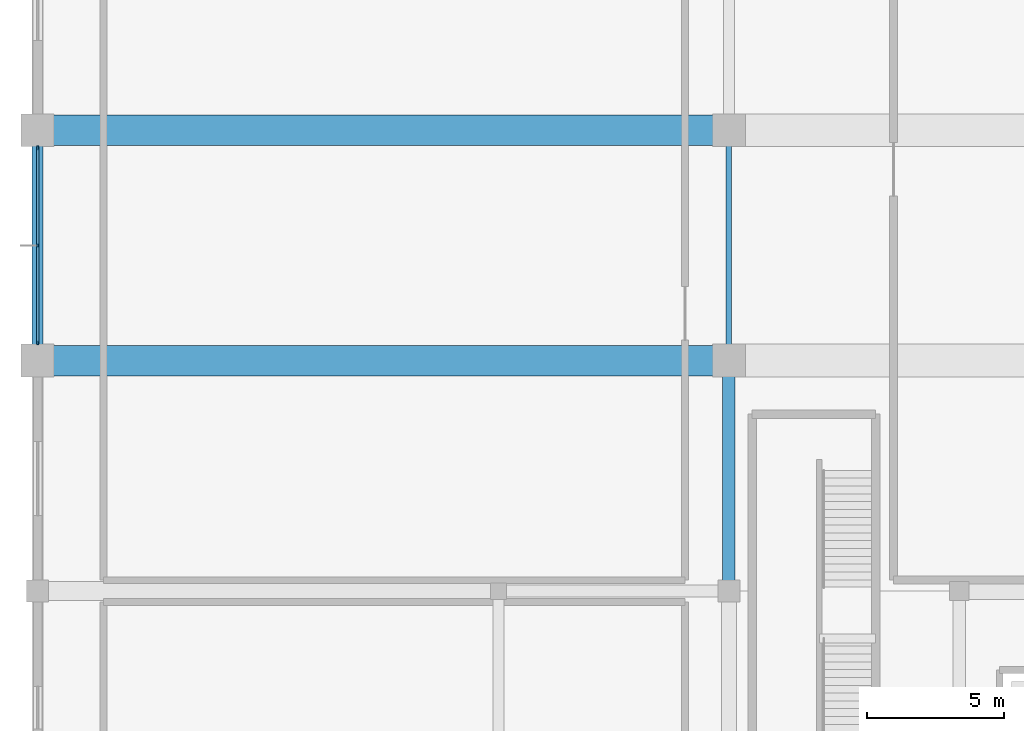
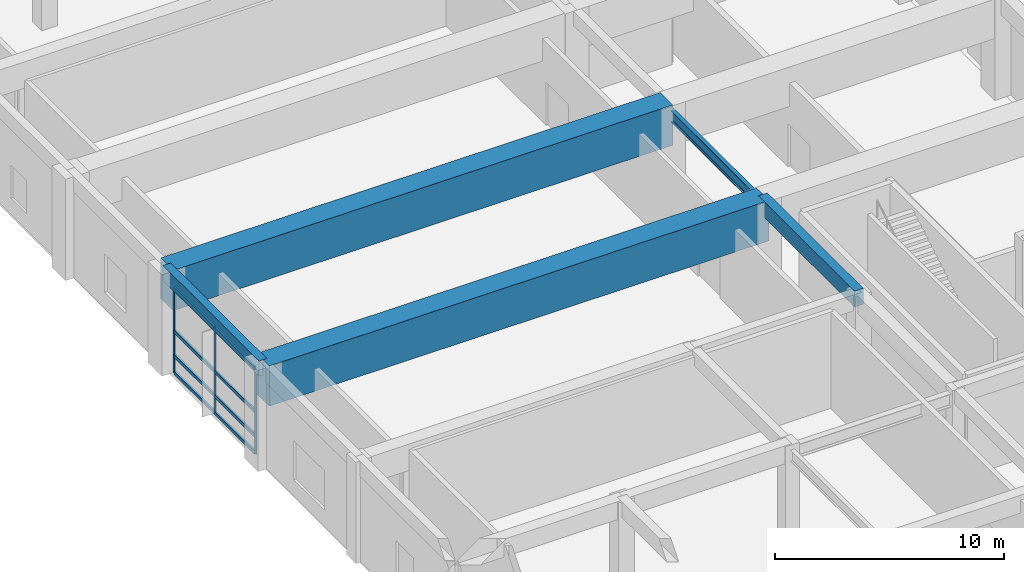
# One storey, part 13 of 62: 11 members, 5 beams, 1 element without a shape of its own.
"""IFC4 building model written with IfcOpenShell, lengths in metres."""

from ifc_helpers import new_model, si_unit, direction, frame, origin, origin_2d, place, context, subcontext, project, spatial, rectangle, i_section, extrude, material, material_profile, profile_set, type_object, element, aggregate, save


model = new_model("IFC4")

# Units and contexts
model_context = context("Model", 3, precision=1e-05, world=origin(), true_north=direction((0.0, 1.0)))
body_context = subcontext(model_context, "Body", "Model", "MODEL_VIEW")
ifc_project = project(units=[si_unit("LENGTHUNIT", "METRE"), si_unit("AREAUNIT", "SQUARE_METRE"), si_unit("VOLUMEUNIT", "CUBIC_METRE"), si_unit("PLANEANGLEUNIT", "RADIAN"), si_unit("MASSUNIT", "GRAM", prefix="KILO")], contexts=[model_context])

# Site, building, storey
site_placement = place(None, origin())
site = spatial("IfcSite", under=ifc_project, at=site_placement, CompositionType="ELEMENT")
building_placement = place(site_placement, origin())
building = spatial("IfcBuilding", under=site, at=building_placement, Name="Xuanlan Plaza Opera House", CompositionType="ELEMENT")
storey_placement = place(building_placement, origin())
storey = spatial("IfcBuildingStorey", under=building, at=storey_placement, Name="L00", CompositionType="ELEMENT", Elevation=0.0)

# Curtain wall, members
ifc_material_1 = material(Name="Anodised Aluminium 6063-T6 and Low-E Glass", Category="aluminium")
curtain_wall_type = type_object("IfcCurtainWallType", Name="ENV-CW-CW-04", PredefinedType="USERDEFINED", material=ifc_material_1)
curtain_wall_placement = place(storey_placement, origin())
curtain_wall = element("IfcCurtainWall", 1, at=curtain_wall_placement, inside=storey, type_object=curtain_wall_type, Name="Unitised Curtain Wall L00-054", ObjectType="UNITISED CURTAIN WALL", PredefinedType="USERDEFINED")
ifc_material_2 = material(Name="Anodised Aluminium 6063-T6", Category="aluminium")
ifc_material_profile_1 = material_profile(ifc_material_2, rectangle(XDim=0.06494140625, YDim=0.159912109375, at=origin_2d()), Name="ALU-M 65x160")
ifc_profile_set_1 = profile_set([ifc_material_profile_1], Name="Anodised Aluminium 6063-T6")
member_type_1 = type_object("IfcMemberType", Name="ENV-CWM-01", PredefinedType="MULLION", material=ifc_profile_set_1)
member_1_placement = place(storey_placement, frame((0.0, 58.1474609375, 0.0), z_axis=(0.0, 0.0, 1.0), x_axis=(1.0, 0.0, 0.0)))
member_1 = element("IfcMember", 2, at=member_1_placement, type_object=member_type_1, Name="CW-04 mullion 1", PredefinedType="MULLION", context=body_context, shape_type="SweptSolid", body=[
    extrude(rectangle(XDim=0.06494140625, YDim=0.159912109375, at=origin_2d()), origin(), (0.0, 0.0, 1.0), 4.580078125),
])
member_2_placement = place(storey_placement, frame((0.0, 54.60009765625, 0.0), z_axis=(0.0, 0.0, 1.0), x_axis=(1.0, 0.0, 0.0)))
member_2 = element("IfcMember", 3, at=member_2_placement, type_object=member_type_1, Name="CW-04 mullion 2", PredefinedType="MULLION", context=body_context, shape_type="SweptSolid", body=[
    extrude(rectangle(XDim=0.06494140625, YDim=0.159912109375, at=origin_2d()), origin(), (0.0, 0.0, 1.0), 4.580078125),
])
member_3_placement = place(storey_placement, frame((0.0, 51.052490234375, 0.0), z_axis=(0.0, 0.0, 1.0), x_axis=(1.0, 0.0, 0.0)))
member_3 = element("IfcMember", 4, at=member_3_placement, type_object=member_type_1, Name="CW-04 mullion 3", PredefinedType="MULLION", context=body_context, shape_type="SweptSolid", body=[
    extrude(rectangle(XDim=0.06494140625, YDim=0.159912109375, at=origin_2d()), origin(), (0.0, 0.0, 1.0), 4.580078125),
])
ifc_material_profile_2 = material_profile(ifc_material_2, rectangle(XDim=0.090087890625, YDim=0.179931640625, at=origin_2d()), Name="ALU-T 90x180")
ifc_profile_set_2 = profile_set([ifc_material_profile_2], Name="Anodised Aluminium 6063-T6")
member_type_2 = type_object("IfcMemberType", Name="ENV-CWT-05", PredefinedType="USERDEFINED", material=ifc_profile_set_2)
member_4_placement = place(storey_placement, frame((0.0, 58.114990234375, 0.044921875), z_axis=(0.0, -1.0, 0.0), x_axis=(1.0, 0.0, 0.0)))
member_4 = element("IfcMember", 5, at=member_4_placement, type_object=member_type_2, Name="CW-04 transom 1.1", ObjectType="TRANSOM", PredefinedType="USERDEFINED", context=body_context, shape_type="SweptSolid", body=[
    extrude(rectangle(XDim=0.090087890625, YDim=0.179931640625, at=origin_2d()), origin(), (0.0, 0.0, 1.0), 3.482421875),
])
member_5_placement = place(storey_placement, frame((0.0, 58.114990234375, 0.949951171875), z_axis=(0.0, -1.0, 0.0), x_axis=(1.0, 0.0, 0.0)))
member_5 = element("IfcMember", 6, at=member_5_placement, type_object=member_type_2, Name="CW-04 transom 1.2", ObjectType="TRANSOM", PredefinedType="USERDEFINED", context=body_context, shape_type="SweptSolid", body=[
    extrude(rectangle(XDim=0.090087890625, YDim=0.179931640625, at=origin_2d()), origin(), (0.0, 0.0, 1.0), 3.482421875),
])
member_6_placement = place(storey_placement, frame((0.0, 58.114990234375, 2.25), z_axis=(0.0, -1.0, 0.0), x_axis=(1.0, 0.0, 0.0)))
member_6 = element("IfcMember", 7, at=member_6_placement, type_object=member_type_2, Name="CW-04 transom 1.3", ObjectType="TRANSOM", PredefinedType="USERDEFINED", context=body_context, shape_type="SweptSolid", body=[
    extrude(rectangle(XDim=0.090087890625, YDim=0.179931640625, at=origin_2d()), origin(), (0.0, 0.0, 1.0), 3.482421875),
])
member_7_placement = place(storey_placement, frame((0.0, 58.114990234375, 4.534912109375), z_axis=(0.0, -1.0, 0.0), x_axis=(1.0, 0.0, 0.0)))
member_7 = element("IfcMember", 8, at=member_7_placement, type_object=member_type_2, Name="CW-04 transom 1.4", ObjectType="TRANSOM", PredefinedType="USERDEFINED", context=body_context, shape_type="SweptSolid", body=[
    extrude(rectangle(XDim=0.090087890625, YDim=0.179931640625, at=origin_2d()), origin(), (0.0, 0.0, 1.0), 3.482421875),
])
member_8_placement = place(storey_placement, frame((0.0, 54.5673828125, 0.044921875), z_axis=(0.0, -1.0, 0.0), x_axis=(1.0, 0.0, 0.0)))
member_8 = element("IfcMember", 9, at=member_8_placement, type_object=member_type_2, Name="CW-04 transom 2.1", ObjectType="TRANSOM", PredefinedType="USERDEFINED", context=body_context, shape_type="SweptSolid", body=[
    extrude(rectangle(XDim=0.090087890625, YDim=0.179931640625, at=origin_2d()), origin(), (0.0, 0.0, 1.0), 3.482421875),
])
member_9_placement = place(storey_placement, frame((0.0, 54.5673828125, 0.949951171875), z_axis=(0.0, -1.0, 0.0), x_axis=(1.0, 0.0, 0.0)))
member_9 = element("IfcMember", 10, at=member_9_placement, type_object=member_type_2, Name="CW-04 transom 2.2", ObjectType="TRANSOM", PredefinedType="USERDEFINED", context=body_context, shape_type="SweptSolid", body=[
    extrude(rectangle(XDim=0.090087890625, YDim=0.179931640625, at=origin_2d()), origin(), (0.0, 0.0, 1.0), 3.482421875),
])
member_10_placement = place(storey_placement, frame((0.0, 54.5673828125, 2.25), z_axis=(0.0, -1.0, 0.0), x_axis=(1.0, 0.0, 0.0)))
member_10 = element("IfcMember", 11, at=member_10_placement, type_object=member_type_2, Name="CW-04 transom 2.3", ObjectType="TRANSOM", PredefinedType="USERDEFINED", context=body_context, shape_type="SweptSolid", body=[
    extrude(rectangle(XDim=0.090087890625, YDim=0.179931640625, at=origin_2d()), origin(), (0.0, 0.0, 1.0), 3.482421875),
])
member_11_placement = place(storey_placement, frame((0.0, 54.5673828125, 4.534912109375), z_axis=(0.0, -1.0, 0.0), x_axis=(1.0, 0.0, 0.0)))
member_11 = element("IfcMember", 12, at=member_11_placement, type_object=member_type_2, Name="CW-04 transom 2.4", ObjectType="TRANSOM", PredefinedType="USERDEFINED", context=body_context, shape_type="SweptSolid", body=[
    extrude(rectangle(XDim=0.090087890625, YDim=0.179931640625, at=origin_2d()), origin(), (0.0, 0.0, 1.0), 3.482421875),
])
aggregate(curtain_wall, [member_1, member_2, member_3, member_4, member_5, member_6, member_7, member_8, member_9, member_10, member_11])

# Beams
ifc_material_3 = material(Name="Concrete C40", Category="concrete")
ifc_material_profile_3 = material_profile(ifc_material_3, rectangle(XDim=0.449951171875, YDim=0.85009765625, at=origin_2d()), Name="RC-BM 450x850")
ifc_profile_set_3 = profile_set([ifc_material_profile_3], Name="Concrete C40")
beam_type_1 = type_object("IfcBeamType", Name="STR-BM-B-04", PredefinedType="BEAM", material=ifc_profile_set_3)
beam_1_placement = place(storey_placement, frame((25.199951171875, 42.0, 4.97509765625), z_axis=(0.0, 1.0, 0.0), x_axis=(-1.0, 0.0, 0.0)))
element("IfcBeam", 13, at=beam_1_placement, inside=storey, type_object=beam_type_1, Name="Grid Beam Y L00 4/F-G", PredefinedType="BEAM", context=body_context, shape_type="SweptSolid", body=[
    extrude(rectangle(XDim=0.449951171875, YDim=0.85009765625, at=origin_2d()), origin(), (0.0, 0.0, 1.0), 8.39990234375),
])
ifc_material_4 = material(Name="Concrete C60", Category="concrete")
ifc_material_profile_4 = material_profile(ifc_material_4, rectangle(XDim=1.10009765625, YDim=2.14990234375, at=origin_2d()), Name="RC-TG 1100x2150")
ifc_profile_set_4 = profile_set([ifc_material_profile_4], Name="Concrete C60")
beam_type_2 = type_object("IfcBeamType", Name="STR-BM-LG-03", PredefinedType="BEAM", material=ifc_profile_set_4)
for number, where, z_axis, x_axis, name in (
    (14, (0.0, 50.39990234375, 4.324951171875), (1.0, 0.0, 0.0), (0.0, 1.0, 0.0), "Grid Beam X L00 1-4/G"),
    (15, (0.0, 58.800048828125, 4.324951171875), (1.0, 0.0, 0.0), (0.0, 1.0, 0.0), "Grid Beam X L00 1-4/H"),
):
    element("IfcBeam", number, at=place(storey_placement, frame(where, z_axis=z_axis, x_axis=x_axis)), inside=storey, type_object=beam_type_2, Name=name, PredefinedType="BEAM", context=body_context, shape_type="SweptSolid", body=[
        extrude(rectangle(XDim=1.10009765625, YDim=2.14990234375, at=origin_2d()), origin(), (0.0, 0.0, 1.0), 25.199951171875),
    ])
ifc_material_5 = material(Name="Steel Q355B", Category="steel")
ifc_material_profile_5 = material_profile(ifc_material_5, i_section(OverallWidth=0.199951171875, OverallDepth=0.60009765625, WebThickness=0.010986328125, FlangeThickness=0.01708984375, FilletRadius=0.02197265625, at=origin_2d()), Name="HN 600x200x11x17")
ifc_profile_set_5 = profile_set([ifc_material_profile_5], Name="Steel Q355B")
beam_type_3 = type_object("IfcBeamType", Name="STR-BM-SB-04", PredefinedType="BEAM", material=ifc_profile_set_5)
beam_2_placement = place(storey_placement, frame((25.199951171875, 50.39990234375, 4.8349609375), z_axis=(0.0, 1.0, 0.0), x_axis=(-1.0, 0.0, 0.0)))
element("IfcBeam", 16, at=beam_2_placement, inside=storey, type_object=beam_type_3, Name="Grid Beam Y L00 4/G-H", PredefinedType="BEAM", context=body_context, shape_type="SweptSolid", body=[
    extrude(i_section(OverallWidth=0.199951171875, OverallDepth=0.60009765625, WebThickness=0.010986328125, FlangeThickness=0.01708984375, FilletRadius=0.02197265625, at=origin_2d()), origin(), (0.0, 0.0, 1.0), 8.400146484375),
])
ifc_material_profile_6 = material_profile(ifc_material_3, rectangle(XDim=0.39990234375, YDim=0.800048828125, at=origin_2d()), Name="RC-SPD 400x800")
ifc_profile_set_6 = profile_set([ifc_material_profile_6], Name="Concrete C40")
beam_type_4 = type_object("IfcBeamType", Name="STR-BM-SP-01", PredefinedType="SPANDREL", material=ifc_profile_set_6)
beam_3_placement = place(storey_placement, frame((0.0, 50.39990234375, 5.0), z_axis=(0.0, 1.0, 0.0), x_axis=(-1.0, 0.0, 0.0)))
element("IfcBeam", 17, at=beam_3_placement, inside=storey, type_object=beam_type_4, Name="Grid Beam Y L00 1/G-H", PredefinedType="SPANDREL", context=body_context, shape_type="SweptSolid", body=[
    extrude(rectangle(XDim=0.39990234375, YDim=0.800048828125, at=origin_2d()), origin(), (0.0, 0.0, 1.0), 8.400146484375),
])

save(model, "model.ifc")
